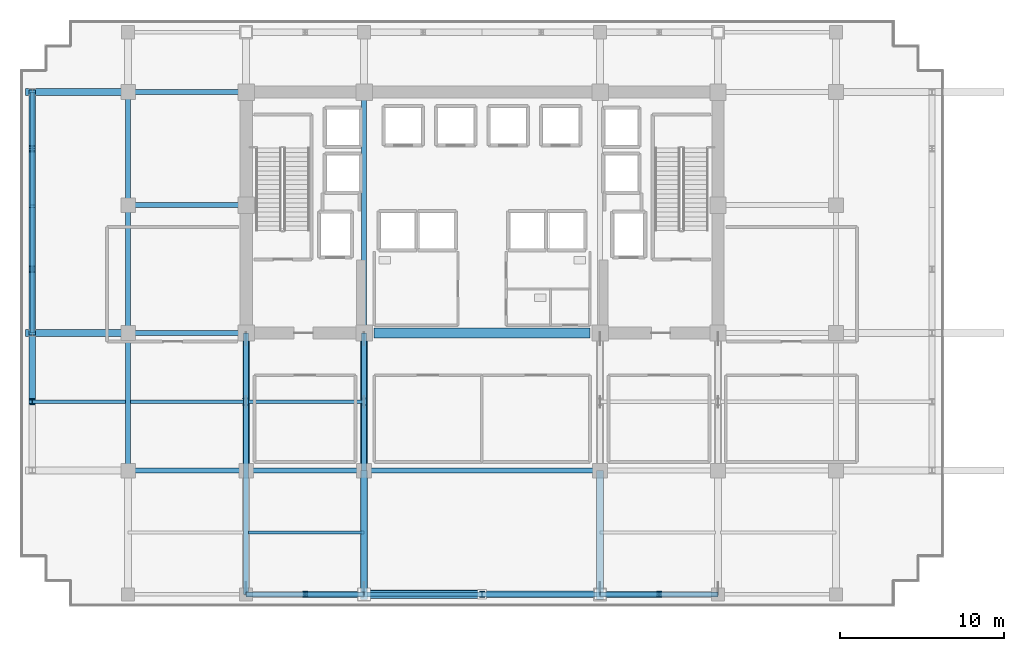
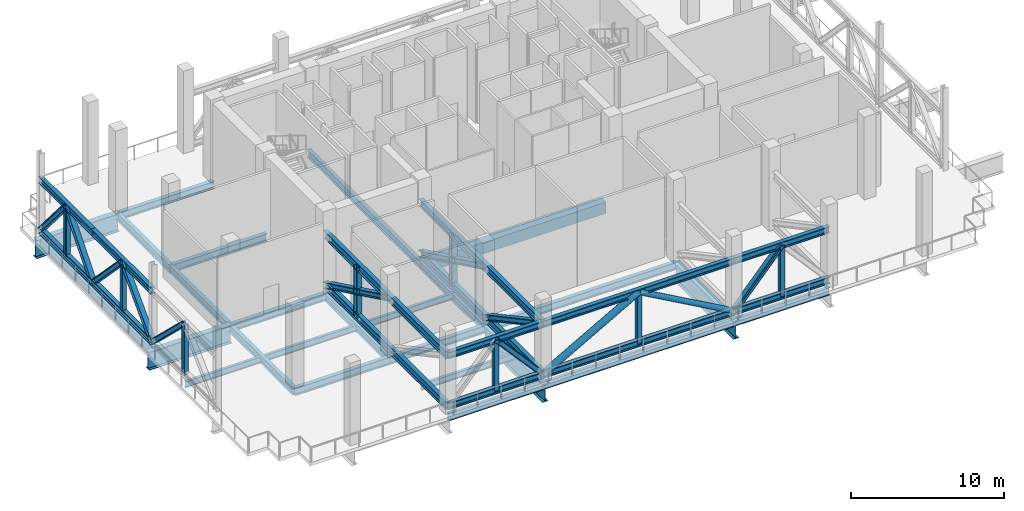
# One storey, part 3 of 15: 34 members, 25 beams.
"""IFC4 building model written with IfcOpenShell, lengths in metres."""

from ifc_helpers import new_model, si_unit, direction, frame, origin, origin_2d, place, context, subcontext, project, spatial, rectangle, hollow_circle, i_section, extrude, source, transform, mapped, material, material_profile, profile_set, type_object, element, save


model = new_model("IFC4")

# Units and contexts
model_context = context("Model", 3, precision=1e-05, world=origin(), true_north=direction((0.0, 1.0)))
body_context = subcontext(model_context, "Body", "Model", "MODEL_VIEW")
ifc_project = project(units=[si_unit("LENGTHUNIT", "METRE"), si_unit("AREAUNIT", "SQUARE_METRE"), si_unit("VOLUMEUNIT", "CUBIC_METRE"), si_unit("PLANEANGLEUNIT", "RADIAN"), si_unit("MASSUNIT", "GRAM", prefix="KILO")], contexts=[model_context])

# Site, building, storey
site_placement = place(None, origin())
site = spatial("IfcSite", under=ifc_project, at=site_placement, CompositionType="ELEMENT")
building_placement = place(site_placement, origin())
building = spatial("IfcBuilding", under=site, at=building_placement, Name="Zarnakvel Exchange Tower", CompositionType="ELEMENT")
storey_placement = place(building_placement, frame((0.0, 0.0, 80.199951171875)))
storey = spatial("IfcBuildingStorey", under=building, at=storey_placement, Name="L22", CompositionType="ELEMENT", Elevation=80.199951171875)

# Beams
ifc_material_1 = material(Name="Steel S355", Category="steel")
ifc_material_profile_1 = material_profile(ifc_material_1, i_section(OverallWidth=0.199951171875, OverallDepth=0.5, WebThickness=0.01025390625, FlangeThickness=0.01611328125, FilletRadius=0.02099609375, at=origin_2d()))
ifc_profile_set_1 = profile_set([ifc_material_profile_1], Name="Steel S355")
beam_type_1 = type_object("IfcBeamType", Name="B-04", PredefinedType="JOIST", material=ifc_profile_set_1)
beam_1_placement = place(storey_placement, frame((-14.2451171875, -13.375, -0.5), z_axis=(1.0, 0.0, 0.0), x_axis=(0.0, 1.0, 0.0)))
element("IfcBeam", 1, at=beam_1_placement, inside=storey, type_object=beam_type_1, Name="L22 Composite Floor Secondary Joist", PredefinedType="JOIST", context=body_context, shape_type="SweptSolid", body=[
    extrude(i_section(OverallWidth=0.199951171875, OverallDepth=0.5, WebThickness=0.01025390625, FlangeThickness=0.01611328125, FilletRadius=0.02099609375, at=origin_2d()), origin(), (0.0, 0.0, 1.0), 7.045166015625),
])
beam_2_placement = place(storey_placement, frame((-27.449951171875, -5.39990234375, -0.5), z_axis=(1.0, 0.0, 0.0), x_axis=(0.0, 1.0, 0.0)))
element("IfcBeam", 2, at=beam_2_placement, inside=storey, type_object=beam_type_1, Name="L22 Composite Floor Secondary Joist", PredefinedType="JOIST", context=body_context, shape_type="SweptSolid", body=[
    extrude(i_section(OverallWidth=0.199951171875, OverallDepth=0.5, WebThickness=0.01025390625, FlangeThickness=0.01611328125, FilletRadius=0.02099609375, at=origin_2d()), origin(), (0.0, 0.0, 1.0), 5.699951171875),
])
beam_3_placement = place(storey_placement, frame((-21.449951171875, -5.39990234375, -0.5), z_axis=(1.0, 0.0, 0.0), x_axis=(0.0, 1.0, 0.0)))
element("IfcBeam", 3, at=beam_3_placement, inside=storey, type_object=beam_type_1, Name="L22 Composite Floor Secondary Joist", PredefinedType="JOIST", context=body_context, shape_type="SweptSolid", body=[
    extrude(i_section(OverallWidth=0.199951171875, OverallDepth=0.5, WebThickness=0.01025390625, FlangeThickness=0.01611328125, FilletRadius=0.02099609375, at=origin_2d()), origin(), (0.0, 0.0, 1.0), 6.89990234375),
])
beam_4_placement = place(storey_placement, frame((-14.25, -5.39990234375, -0.5), z_axis=(1.0, 0.0, 0.0), x_axis=(0.0, 1.0, 0.0)))
element("IfcBeam", 4, at=beam_4_placement, inside=storey, type_object=beam_type_1, Name="L22 Composite Floor Secondary Joist", PredefinedType="JOIST", context=body_context, shape_type="SweptSolid", body=[
    extrude(i_section(OverallWidth=0.199951171875, OverallDepth=0.5, WebThickness=0.01025390625, FlangeThickness=0.01611328125, FilletRadius=0.02099609375, at=origin_2d()), origin(), (0.0, 0.0, 1.0), 7.050048828125),
])
ifc_material_2 = material(Name="Concrete C80/95", Category="concrete")
ifc_material_profile_2 = material_profile(ifc_material_2, rectangle(XDim=0.60009765625, YDim=0.89990234375, at=origin_2d()))
ifc_profile_set_2 = profile_set([ifc_material_profile_2], Name="Concrete C80/95")
beam_type_2 = type_object("IfcBeamType", Name="CB-01", PredefinedType="LINTEL", material=ifc_profile_set_2)
beam_5_placement = place(storey_placement, frame((-6.60009765625, -1.199951171875, -0.699951171875), z_axis=(1.0, 0.0, 0.0), x_axis=(0.0, 1.0, 0.0)))
element("IfcBeam", 5, at=beam_5_placement, inside=storey, type_object=beam_type_2, Name="L22 Rear Core South Coupling Beam (CB-01)", PredefinedType="LINTEL", context=body_context, shape_type="SweptSolid", body=[
    extrude(rectangle(XDim=0.60009765625, YDim=0.89990234375, at=origin_2d()), origin(), (0.0, 0.0, 1.0), 13.2001953125),
])
ifc_material_profile_3 = material_profile(ifc_material_1, i_section(OverallWidth=0.300048828125, OverallDepth=0.60009765625, WebThickness=0.015380859375, FlangeThickness=0.030029296875, FilletRadius=0.027099609375, at=origin_2d()))
ifc_profile_set_3 = profile_set([ifc_material_profile_3], Name="Steel S355")
beam_type_3 = type_object("IfcBeamType", Name="G-04", PredefinedType="BEAM", material=ifc_profile_set_3)
beam_6_placement = place(storey_placement, frame((-21.60009765625, -9.60009765625, -0.550048828125), z_axis=(1.0, 0.0, 0.0), x_axis=(0.0, 1.0, 0.0)))
element("IfcBeam", 6, at=beam_6_placement, inside=storey, type_object=beam_type_3, Name="L22 Tower E-W Frame Beam", PredefinedType="BEAM", context=body_context, shape_type="SweptSolid", body=[
    extrude(i_section(OverallWidth=0.300048828125, OverallDepth=0.60009765625, WebThickness=0.015380859375, FlangeThickness=0.030029296875, FilletRadius=0.027099609375, at=origin_2d()), origin(), (0.0, 0.0, 1.0), 7.2001953125),
])
beam_7_placement = place(storey_placement, frame((-14.39990234375, -9.60009765625, -0.550048828125), z_axis=(1.0, 0.0, 0.0), x_axis=(0.0, 1.0, 0.0)))
element("IfcBeam", 7, at=beam_7_placement, inside=storey, type_object=beam_type_3, Name="L22 Tower E-W Frame Beam", PredefinedType="BEAM", context=body_context, shape_type="SweptSolid", body=[
    extrude(i_section(OverallWidth=0.300048828125, OverallDepth=0.60009765625, WebThickness=0.015380859375, FlangeThickness=0.030029296875, FilletRadius=0.027099609375, at=origin_2d()), origin(), (0.0, 0.0, 1.0), 7.199951171875),
])
beam_8_placement = place(storey_placement, frame((-7.199951171875, -9.60009765625, -0.550048828125), z_axis=(1.0, 0.0, 0.0), x_axis=(0.0, 1.0, 0.0)))
element("IfcBeam", 8, at=beam_8_placement, inside=storey, type_object=beam_type_3, Name="L22 Tower E-W Frame Beam", PredefinedType="BEAM", context=body_context, shape_type="SweptSolid", body=[
    extrude(i_section(OverallWidth=0.300048828125, OverallDepth=0.60009765625, WebThickness=0.015380859375, FlangeThickness=0.030029296875, FilletRadius=0.027099609375, at=origin_2d()), origin(), (0.0, 0.0, 1.0), 14.39990234375),
])
for number, where, z_axis, x_axis, name in (
    (9, (-21.60009765625, -1.199951171875, -0.550048828125), (1.0, 0.0, 0.0), (0.0, 1.0, 0.0), "L22 Tower E-W Frame Beam"),
    (10, (-21.60009765625, 6.60009765625, -0.550048828125), (1.0, 0.0, 0.0), (0.0, 1.0, 0.0), "L22 Tower E-W Frame Beam"),
    (11, (-21.60009765625, 13.5, -0.550048828125), (1.0, 0.0, 0.0), (0.0, 1.0, 0.0), "L22 Tower E-W Frame Beam"),
):
    element("IfcBeam", number, at=place(storey_placement, frame(where, z_axis=z_axis, x_axis=x_axis)), inside=storey, type_object=beam_type_3, Name=name, PredefinedType="BEAM", context=body_context, shape_type="SweptSolid", body=[
        extrude(i_section(OverallWidth=0.300048828125, OverallDepth=0.60009765625, WebThickness=0.015380859375, FlangeThickness=0.030029296875, FilletRadius=0.027099609375, at=origin_2d()), origin(), (0.0, 0.0, 1.0), 7.2001953125),
    ])
beam_9_placement = place(storey_placement, frame((-21.60009765625, -9.60009765625, -0.550048828125), z_axis=(0.0, 1.0, 0.0), x_axis=(-1.0, 0.0, 0.0)))
element("IfcBeam", 12, at=beam_9_placement, inside=storey, type_object=beam_type_3, Name="L22 Tower N-S Frame Beam", PredefinedType="BEAM", context=body_context, shape_type="SweptSolid", body=[
    extrude(i_section(OverallWidth=0.300048828125, OverallDepth=0.60009765625, WebThickness=0.015380859375, FlangeThickness=0.030029296875, FilletRadius=0.027099609375, at=origin_2d()), origin(), (0.0, 0.0, 1.0), 8.400146484375),
])
beam_10_placement = place(storey_placement, frame((-21.60009765625, -1.199951171875, -0.550048828125), z_axis=(0.0, 1.0, 0.0), x_axis=(-1.0, 0.0, 0.0)))
element("IfcBeam", 13, at=beam_10_placement, inside=storey, type_object=beam_type_3, Name="L22 Tower N-S Frame Beam", PredefinedType="BEAM", context=body_context, shape_type="SweptSolid", body=[
    extrude(i_section(OverallWidth=0.300048828125, OverallDepth=0.60009765625, WebThickness=0.015380859375, FlangeThickness=0.030029296875, FilletRadius=0.027099609375, at=origin_2d()), origin(), (0.0, 0.0, 1.0), 7.800048828125),
])
beam_11_placement = place(storey_placement, frame((-21.60009765625, 6.60009765625, -0.550048828125), z_axis=(0.0, 1.0, 0.0), x_axis=(-1.0, 0.0, 0.0)))
element("IfcBeam", 14, at=beam_11_placement, inside=storey, type_object=beam_type_3, Name="L22 Tower N-S Frame Beam", PredefinedType="BEAM", context=body_context, shape_type="SweptSolid", body=[
    extrude(i_section(OverallWidth=0.300048828125, OverallDepth=0.60009765625, WebThickness=0.015380859375, FlangeThickness=0.030029296875, FilletRadius=0.027099609375, at=origin_2d()), origin(), (0.0, 0.0, 1.0), 6.89990234375),
])
for number, where, z_axis, x_axis, name in (
    (15, (-14.39990234375, -9.60009765625, -0.550048828125), (0.0, 1.0, 0.0), (-1.0, 0.0, 0.0), "L22 Tower N-S Frame Beam"),
    (16, (-7.199951171875, -9.60009765625, -0.550048828125), (0.0, 1.0, 0.0), (-1.0, 0.0, 0.0), "L22 Tower N-S Frame Beam"),
):
    element("IfcBeam", number, at=place(storey_placement, frame(where, z_axis=z_axis, x_axis=x_axis)), inside=storey, type_object=beam_type_3, Name=name, PredefinedType="BEAM", context=body_context, shape_type="SweptSolid", body=[
        extrude(i_section(OverallWidth=0.300048828125, OverallDepth=0.60009765625, WebThickness=0.015380859375, FlangeThickness=0.030029296875, FilletRadius=0.027099609375, at=origin_2d()), origin(), (0.0, 0.0, 1.0), 8.400146484375),
    ])
beam_12_placement = place(storey_placement, frame((-7.199951171875, -1.199951171875, -0.550048828125), z_axis=(0.0, 1.0, 0.0), x_axis=(-1.0, 0.0, 0.0)))
element("IfcBeam", 17, at=beam_12_placement, inside=storey, type_object=beam_type_3, Name="L22 Tower N-S Frame Beam", PredefinedType="BEAM", context=body_context, shape_type="SweptSolid", body=[
    extrude(i_section(OverallWidth=0.300048828125, OverallDepth=0.60009765625, WebThickness=0.015380859375, FlangeThickness=0.030029296875, FilletRadius=0.027099609375, at=origin_2d()), origin(), (0.0, 0.0, 1.0), 14.699951171875),
])
ifc_material_profile_4 = material_profile(ifc_material_1, i_section(OverallWidth=0.219970703125, OverallDepth=0.60009765625, WebThickness=0.011962890625, FlangeThickness=0.01904296875, FilletRadius=0.02392578125, at=origin_2d()))
ifc_profile_set_4 = profile_set([ifc_material_profile_4], Name="Steel S355")
beam_type_4 = type_object("IfcBeamType", Name="SP-01", PredefinedType="SPANDREL", material=ifc_profile_set_4)
beam_13_placement = place(storey_placement, frame((-14.39990234375, -17.14990234375, -0.550048828125), z_axis=(1.0, 0.0, 0.0), x_axis=(0.0, 1.0, 0.0)))
element("IfcBeam", 18, at=beam_13_placement, inside=storey, type_object=beam_type_4, Name="L22 Tower E-W Frame Beam", PredefinedType="SPANDREL", context=body_context, shape_type="SweptSolid", body=[
    extrude(i_section(OverallWidth=0.219970703125, OverallDepth=0.60009765625, WebThickness=0.011962890625, FlangeThickness=0.01904296875, FilletRadius=0.02392578125, at=origin_2d()), origin(), (0.0, 0.0, 1.0), 7.199951171875),
])
beam_14_placement = place(storey_placement, frame((-7.199951171875, -17.14990234375, -0.550048828125), z_axis=(1.0, 0.0, 0.0), x_axis=(0.0, 1.0, 0.0)))
element("IfcBeam", 19, at=beam_14_placement, inside=storey, type_object=beam_type_4, Name="L22 Tower E-W Frame Beam", PredefinedType="SPANDREL", context=body_context, shape_type="SweptSolid", body=[
    extrude(i_section(OverallWidth=0.219970703125, OverallDepth=0.60009765625, WebThickness=0.011962890625, FlangeThickness=0.01904296875, FilletRadius=0.02392578125, at=origin_2d()), origin(), (0.0, 0.0, 1.0), 14.39990234375),
])
beam_15_placement = place(storey_placement, frame((7.199951171875, -17.14990234375, -0.550048828125), z_axis=(1.0, 0.0, 0.0), x_axis=(0.0, 1.0, 0.0)))
element("IfcBeam", 20, at=beam_15_placement, inside=storey, type_object=beam_type_4, Name="L22 Tower E-W Frame Beam", PredefinedType="SPANDREL", context=body_context, shape_type="SweptSolid", body=[
    extrude(i_section(OverallWidth=0.219970703125, OverallDepth=0.60009765625, WebThickness=0.011962890625, FlangeThickness=0.01904296875, FilletRadius=0.02392578125, at=origin_2d()), origin(), (0.0, 0.0, 1.0), 7.199951171875),
])
beam_16_placement = place(storey_placement, frame((-27.449951171875, -1.199951171875, -0.550048828125), z_axis=(0.0, 1.0, 0.0), x_axis=(-1.0, 0.0, 0.0)))
element("IfcBeam", 21, at=beam_16_placement, inside=storey, type_object=beam_type_4, Name="L22 Tower N-S Frame Beam", PredefinedType="SPANDREL", context=body_context, shape_type="SweptSolid", body=[
    extrude(i_section(OverallWidth=0.219970703125, OverallDepth=0.60009765625, WebThickness=0.011962890625, FlangeThickness=0.01904296875, FilletRadius=0.02392578125, at=origin_2d()), origin(), (0.0, 0.0, 1.0), 14.699951171875),
])
ifc_material_3 = material(Name="Steel S460", Category="steel")
ifc_material_profile_5 = material_profile(ifc_material_3, i_section(OverallWidth=0.419921875, OverallDepth=1.449951171875, WebThickness=0.02392578125, FlangeThickness=0.0400390625, FilletRadius=0.030029296875, at=origin_2d()))
ifc_profile_set_5 = profile_set([ifc_material_profile_5], Name="Steel S460")
beam_type_5 = type_object("IfcBeamType", Name="TG-01", PredefinedType="BEAM", material=ifc_profile_set_5)
for number, where, z_axis, x_axis, name in (
    (22, (-7.199951171875, -17.449951171875, -0.974853515625), (0.0, 1.0, 0.0), (-1.0, 0.0, 0.0), "L22 Setback N-S Transfer Girder TS-5"),
    (23, (7.199951171875, -17.449951171875, -0.974853515625), (0.0, 1.0, 0.0), (-1.0, 0.0, 0.0), "L22 Setback N-S Transfer Girder TS-8"),
):
    element("IfcBeam", number, at=place(storey_placement, frame(where, z_axis=z_axis, x_axis=x_axis)), inside=storey, type_object=beam_type_5, Name=name, PredefinedType="BEAM", context=body_context, shape_type="SweptSolid", body=[
        extrude(i_section(OverallWidth=0.419921875, OverallDepth=1.449951171875, WebThickness=0.02392578125, FlangeThickness=0.0400390625, FilletRadius=0.030029296875, at=origin_2d()), origin(), (0.0, 0.0, 1.0), 7.849853515625),
    ])
for number, where, z_axis, x_axis, name in (
    (24, (-27.85009765625, -1.199951171875, -0.974853515625), (1.0, 0.0, 0.0), (0.0, 1.0, 0.0), "L22 Setback E-W Transfer Girder TW-D"),
    (25, (-27.85009765625, 13.5, -0.974853515625), (1.0, 0.0, 0.0), (0.0, 1.0, 0.0), "L22 Setback E-W Transfer Girder TW-F"),
):
    element("IfcBeam", number, at=place(storey_placement, frame(where, z_axis=z_axis, x_axis=x_axis)), inside=storey, type_object=beam_type_5, Name=name, PredefinedType="BEAM", context=body_context, shape_type="SweptSolid", body=[
        extrude(i_section(OverallWidth=0.419921875, OverallDepth=1.449951171875, WebThickness=0.02392578125, FlangeThickness=0.0400390625, FilletRadius=0.030029296875, at=origin_2d()), origin(), (0.0, 0.0, 1.0), 6.25),
    ])

# Members
ifc_material_profile_6 = material_profile(ifc_material_3, i_section(OverallWidth=0.304931640625, OverallDepth=0.6201171875, WebThickness=0.02099609375, FlangeThickness=0.0400390625, FilletRadius=0.027099609375, at=origin_2d()))
ifc_profile_set_6 = profile_set([ifc_material_profile_6], Name="Steel S460")
member_type_1 = type_object("IfcMemberType", Name="OT-02", PredefinedType="CHORD", material=ifc_profile_set_6)
shared_shape_1 = source(origin(), body_context, "Body", "SweptSolid", [
    extrude(i_section(OverallWidth=0.304931640625, OverallDepth=0.6201171875, WebThickness=0.02099609375, FlangeThickness=0.0400390625, FilletRadius=0.027099609375, at=origin_2d()), origin(), (0.0, 0.0, 1.0), 15.949951171875),
])
for number, where, z_axis, x_axis, name in (
    (26, (-14.39990234375, -17.14990234375, 0.35009765625), (0.0, 1.0, 0.0), (-1.0, 0.0, 0.0), "L22 Outrigger Bottom Chord Grid 4"),
    (27, (-14.39990234375, -17.14990234375, 4.400146484375), (0.0, 1.0, 0.0), (-1.0, 0.0, 0.0), "L22 Outrigger Top Chord Grid 4"),
    (28, (-7.199951171875, -17.14990234375, 0.35009765625), (0.0, 1.0, 0.0), (-1.0, 0.0, 0.0), "L22 Outrigger Bottom Chord Grid 5"),
    (29, (-7.199951171875, -17.14990234375, 4.400146484375), (0.0, 1.0, 0.0), (-1.0, 0.0, 0.0), "L22 Outrigger Top Chord Grid 5"),
):
    element("IfcMember", number, at=place(storey_placement, frame(where, z_axis=z_axis, x_axis=x_axis)), inside=storey, type_object=member_type_1, Name=name, PredefinedType="CHORD", context=body_context, shape_type="MappedRepresentation", body=[
        mapped(shared_shape_1, transform((0.0, 0.0, 0.0), x_axis=(1.0, 0.0, 0.0), y_axis=(0.0, 1.0, 0.0), z_axis=(0.0, 0.0, 1.0), scale=1.0)),
    ])
ifc_material_profile_7 = material_profile(ifc_material_3, i_section(OverallWidth=0.404052734375, OverallDepth=0.406982421875, WebThickness=0.0224609375, FlangeThickness=0.031982421875, FilletRadius=0.014892578125, at=origin_2d()))
ifc_profile_set_7 = profile_set([ifc_material_profile_7], Name="Steel S460")
member_type_2 = type_object("IfcMemberType", Name="OT-03", PredefinedType="STRUT", material=ifc_profile_set_7)
shared_shape_2 = source(origin(), body_context, "Body", "SweptSolid", [
    extrude(i_section(OverallWidth=0.404052734375, OverallDepth=0.406982421875, WebThickness=0.0224609375, FlangeThickness=0.031982421875, FilletRadius=0.014892578125, at=origin_2d()), origin(), (0.0, 0.0, 1.0), 4.050048828125),
])
for number, where, z_axis, x_axis, name in (
    (30, (-14.39990234375, -5.39990234375, 0.35009765625), (0.0, 0.0, 1.0), (1.0, 0.0, 0.0), "L22 Outrigger Web Post Grid 4"),
    (31, (-7.199951171875, -5.39990234375, 0.35009765625), (0.0, 0.0, 1.0), (1.0, 0.0, 0.0), "L22 Outrigger Web Post Grid 5"),
):
    element("IfcMember", number, at=place(storey_placement, frame(where, z_axis=z_axis, x_axis=x_axis)), inside=storey, type_object=member_type_2, Name=name, PredefinedType="STRUT", context=body_context, shape_type="MappedRepresentation", body=[
        mapped(shared_shape_2, transform((0.0, 0.0, 0.0), x_axis=(1.0, 0.0, 0.0), y_axis=(0.0, 1.0, 0.0), z_axis=(0.0, 0.0, 1.0), scale=1.0)),
    ])
ifc_material_profile_8 = material_profile(ifc_material_3, i_section(OverallWidth=0.412109375, OverallDepth=0.425048828125, WebThickness=0.02587890625, FlangeThickness=0.0390625, FilletRadius=0.014892578125, at=origin_2d()))
ifc_profile_set_8 = profile_set([ifc_material_profile_8], Name="Steel S460")
member_type_3 = type_object("IfcMemberType", Name="OT-01", PredefinedType="BRACE", material=ifc_profile_set_8)
shared_shape_3 = source(origin(), body_context, "Body", "SweptSolid", [
    extrude(i_section(OverallWidth=0.412109375, OverallDepth=0.425048828125, WebThickness=0.02587890625, FlangeThickness=0.0390625, FilletRadius=0.014892578125, at=origin_2d()), origin(), (0.0, 0.0, 1.0), 9.325439453125),
])
for number, where, z_axis, x_axis, name in (
    (32, (-14.39990234375, -1.199951171875, 0.35009765625), (0.0, -0.900769595798, 0.43429728906), (1.0, 0.0, 0.0), "L22 Outrigger Inner Diagonal 1 Grid 4"),
    (33, (-7.199951171875, -1.199951171875, 0.35009765625), (0.0, -0.900769595798, 0.43429728906), (1.0, 0.0, 0.0), "L22 Outrigger Inner Diagonal 1 Grid 5"),
):
    element("IfcMember", number, at=place(storey_placement, frame(where, z_axis=z_axis, x_axis=x_axis)), inside=storey, type_object=member_type_3, Name=name, PredefinedType="BRACE", context=body_context, shape_type="MappedRepresentation", body=[
        mapped(shared_shape_3, transform((0.0, 0.0, 0.0), x_axis=(1.0, 0.0, 0.0), y_axis=(0.0, 1.0, 0.0), z_axis=(0.0, 0.0, 1.0), scale=1.0)),
    ])
shared_shape_4 = source(origin(), body_context, "Body", "SweptSolid", [
    extrude(i_section(OverallWidth=0.412109375, OverallDepth=0.425048828125, WebThickness=0.02587890625, FlangeThickness=0.0390625, FilletRadius=0.014892578125, at=origin_2d()), origin(), (0.0, 0.0, 1.0), 8.567626953125),
])
member_1_placement = place(storey_placement, frame((-7.199951171875, -9.60009765625, 0.35009765625), z_axis=(0.0, -0.881212095321, 0.472721104944), x_axis=(1.0, 0.0, 0.0)))
element("IfcMember", 34, at=member_1_placement, inside=storey, type_object=member_type_3, Name="L22 Outrigger Outer Diagonal 2 Grid 5", PredefinedType="BRACE", context=body_context, shape_type="MappedRepresentation", body=[
    mapped(shared_shape_4, transform((0.0, 0.0, 0.0), x_axis=(1.0, 0.0, 0.0), y_axis=(0.0, 1.0, 0.0), z_axis=(0.0, 0.0, 1.0), scale=1.0)),
])
ifc_material_profile_9 = material_profile(ifc_material_1, i_section(OverallWidth=0.305908203125, OverallDepth=0.52392578125, WebThickness=0.02099609375, FlangeThickness=0.0400390625, FilletRadius=0.027099609375, at=origin_2d()))
ifc_profile_set_9 = profile_set([ifc_material_profile_9], Name="Steel S355")
member_type_4 = type_object("IfcMemberType", Name="BT-02", PredefinedType="CHORD", material=ifc_profile_set_9)
shared_shape_5 = source(origin(), body_context, "Body", "SweptSolid", [
    extrude(i_section(OverallWidth=0.305908203125, OverallDepth=0.52392578125, WebThickness=0.02099609375, FlangeThickness=0.0400390625, FilletRadius=0.027099609375, at=origin_2d()), origin(), (0.0, 0.0, 1.0), 7.199951171875),
])
for number, where, z_axis, x_axis, name in (
    (35, (-14.39990234375, -17.14990234375, 0.35009765625), (1.0, 0.0, 0.0), (0.0, 1.0, 0.0), "L22 Belt Truss Bottom Chord S-W1"),
    (36, (-14.39990234375, -17.14990234375, 4.400146484375), (1.0, 0.0, 0.0), (0.0, 1.0, 0.0), "L22 Belt Truss Top Chord S-W1"),
    (37, (7.199951171875, -17.14990234375, 0.35009765625), (1.0, 0.0, 0.0), (0.0, 1.0, 0.0), "L22 Belt Truss Bottom Chord S-E1"),
    (38, (7.199951171875, -17.14990234375, 4.400146484375), (1.0, 0.0, 0.0), (0.0, 1.0, 0.0), "L22 Belt Truss Top Chord S-E1"),
):
    element("IfcMember", number, at=place(storey_placement, frame(where, z_axis=z_axis, x_axis=x_axis)), inside=storey, type_object=member_type_4, Name=name, PredefinedType="CHORD", context=body_context, shape_type="MappedRepresentation", body=[
        mapped(shared_shape_5, transform((0.0, 0.0, 0.0), x_axis=(1.0, 0.0, 0.0), y_axis=(0.0, 1.0, 0.0), z_axis=(0.0, 0.0, 1.0), scale=1.0)),
    ])
ifc_material_profile_10 = material_profile(ifc_material_1, i_section(OverallWidth=0.30908203125, OverallDepth=0.35888671875, WebThickness=0.02099609375, FlangeThickness=0.033935546875, FilletRadius=0.014892578125, at=origin_2d()))
ifc_profile_set_10 = profile_set([ifc_material_profile_10], Name="Steel S355")
member_type_5 = type_object("IfcMemberType", Name="BT-03", PredefinedType="STRUT", material=ifc_profile_set_10)
shared_shape_6 = source(origin(), body_context, "Body", "SweptSolid", [
    extrude(i_section(OverallWidth=0.30908203125, OverallDepth=0.35888671875, WebThickness=0.02099609375, FlangeThickness=0.033935546875, FilletRadius=0.014892578125, at=origin_2d()), origin(), (0.0, 0.0, 1.0), 4.050048828125),
])
for number, where, z_axis, x_axis, name in (
    (39, (-10.800048828125, -17.14990234375, 0.35009765625), (0.0, 0.0, 1.0), (1.0, 0.0, 0.0), "L22 Belt Truss Vertical Post S-W1"),
    (40, (10.800048828125, -17.14990234375, 0.35009765625), (0.0, 0.0, 1.0), (1.0, 0.0, 0.0), "L22 Belt Truss Vertical Post S-E1"),
    (41, (-27.449951171875, -5.39990234375, 0.35009765625), (0.0, 0.0, 1.0), (1.0, 0.0, 0.0), "L22 Belt Truss Vertical Post W-1"),
    (42, (-27.449951171875, 2.699951171875, 0.35009765625), (0.0, 0.0, 1.0), (1.0, 0.0, 0.0), "L22 Belt Truss Vertical Post W-2"),
    (43, (-27.449951171875, 10.050048828125, 0.35009765625), (0.0, 0.0, 1.0), (1.0, 0.0, 0.0), "L22 Belt Truss Vertical Post W-3"),
    (44, (0.0, -17.14990234375, 0.35009765625), (0.0, 0.0, 1.0), (1.0, 0.0, 0.0), "L22 Portal Bridge Center Post"),
):
    element("IfcMember", number, at=place(storey_placement, frame(where, z_axis=z_axis, x_axis=x_axis)), inside=storey, type_object=member_type_5, Name=name, PredefinedType="STRUT", context=body_context, shape_type="MappedRepresentation", body=[
        mapped(shared_shape_6, transform((0.0, 0.0, 0.0), x_axis=(1.0, 0.0, 0.0), y_axis=(0.0, 1.0, 0.0), z_axis=(0.0, 0.0, 1.0), scale=1.0)),
    ])
ifc_material_profile_11 = material_profile(ifc_material_1, i_section(OverallWidth=0.3740234375, OverallDepth=0.364013671875, WebThickness=0.01806640625, FlangeThickness=0.027587890625, FilletRadius=0.014892578125, at=origin_2d()))
ifc_profile_set_11 = profile_set([ifc_material_profile_11], Name="Steel S355")
member_type_6 = type_object("IfcMemberType", Name="BT-01", PredefinedType="BRACE", material=ifc_profile_set_11)
shared_shape_7 = source(origin(), body_context, "Body", "SweptSolid", [
    extrude(i_section(OverallWidth=0.3740234375, OverallDepth=0.364013671875, WebThickness=0.01806640625, FlangeThickness=0.027587890625, FilletRadius=0.014892578125, at=origin_2d()), origin(), (0.0, 0.0, 1.0), 5.418701171875),
])
for number, where, z_axis, x_axis, name in (
    (45, (-7.199951171875, -17.14990234375, 0.35009765625), (-0.664369431748, 0.0, 0.747404347163), (0.0, -1.0, 0.0), "L22 Belt Truss Chevron Right S-W1"),
    (46, (7.199951171875, -17.14990234375, 0.35009765625), (0.664369431748, 0.0, 0.747404347163), (0.0, 1.0, 0.0), "L22 Belt Truss Chevron Left S-E1"),
):
    element("IfcMember", number, at=place(storey_placement, frame(where, z_axis=z_axis, x_axis=x_axis)), inside=storey, type_object=member_type_6, Name=name, PredefinedType="BRACE", context=body_context, shape_type="MappedRepresentation", body=[
        mapped(shared_shape_7, transform((0.0, 0.0, 0.0), x_axis=(1.0, 0.0, 0.0), y_axis=(0.0, 1.0, 0.0), z_axis=(0.0, 0.0, 1.0), scale=1.0)),
    ])
shared_shape_8 = source(origin(), body_context, "Body", "SweptSolid", [
    extrude(i_section(OverallWidth=0.3740234375, OverallDepth=0.364013671875, WebThickness=0.01806640625, FlangeThickness=0.027587890625, FilletRadius=0.014892578125, at=origin_2d()), origin(), (0.0, 0.0, 1.0), 5.83447265625),
])
member_2_placement = place(storey_placement, frame((-27.449951171875, -1.199951171875, 0.35009765625), z_axis=(0.0, -0.719836081517, 0.694144088606), x_axis=(1.0, 0.0, 0.0)))
element("IfcMember", 47, at=member_2_placement, inside=storey, type_object=member_type_6, Name="L22 Belt Truss Chevron Right W-1", PredefinedType="BRACE", context=body_context, shape_type="MappedRepresentation", body=[
    mapped(shared_shape_8, transform((0.0, 0.0, 0.0), x_axis=(1.0, 0.0, 0.0), y_axis=(0.0, 1.0, 0.0), z_axis=(0.0, 0.0, 1.0), scale=1.0)),
])
shared_shape_9 = source(origin(), body_context, "Body", "SweptSolid", [
    extrude(i_section(OverallWidth=0.305908203125, OverallDepth=0.52392578125, WebThickness=0.02099609375, FlangeThickness=0.0400390625, FilletRadius=0.027099609375, at=origin_2d()), origin(), (0.0, 0.0, 1.0), 7.800048828125),
])
for number, where, z_axis, x_axis, name in (
    (48, (-27.449951171875, -1.199951171875, 0.35009765625), (0.0, 1.0, 0.0), (-1.0, 0.0, 0.0), "L22 Belt Truss Bottom Chord W-2"),
    (49, (-27.449951171875, -1.199951171875, 4.400146484375), (0.0, 1.0, 0.0), (-1.0, 0.0, 0.0), "L22 Belt Truss Top Chord W-2"),
):
    element("IfcMember", number, at=place(storey_placement, frame(where, z_axis=z_axis, x_axis=x_axis)), inside=storey, type_object=member_type_4, Name=name, PredefinedType="CHORD", context=body_context, shape_type="MappedRepresentation", body=[
        mapped(shared_shape_9, transform((0.0, 0.0, 0.0), x_axis=(1.0, 0.0, 0.0), y_axis=(0.0, 1.0, 0.0), z_axis=(0.0, 0.0, 1.0), scale=1.0)),
    ])
shared_shape_10 = source(origin(), body_context, "Body", "SweptSolid", [
    extrude(i_section(OverallWidth=0.3740234375, OverallDepth=0.364013671875, WebThickness=0.01806640625, FlangeThickness=0.027587890625, FilletRadius=0.014892578125, at=origin_2d()), origin(), (0.0, 0.0, 1.0), 5.62255859375),
])
for number, where, z_axis, x_axis, name in (
    (50, (-27.449951171875, -1.199951171875, 0.35009765625), (0.0, 0.693628335739, 0.720333070087), (-1.0, 0.0, 0.0), "L22 Belt Truss Chevron Left W-2"),
    (51, (-27.449951171875, 6.60009765625, 0.35009765625), (0.0, -0.693650865689, 0.720311374705), (1.0, 0.0, 0.0), "L22 Belt Truss Chevron Right W-2"),
):
    element("IfcMember", number, at=place(storey_placement, frame(where, z_axis=z_axis, x_axis=x_axis)), inside=storey, type_object=member_type_6, Name=name, PredefinedType="BRACE", context=body_context, shape_type="MappedRepresentation", body=[
        mapped(shared_shape_10, transform((0.0, 0.0, 0.0), x_axis=(1.0, 0.0, 0.0), y_axis=(0.0, 1.0, 0.0), z_axis=(0.0, 0.0, 1.0), scale=1.0)),
    ])
shared_shape_11 = source(origin(), body_context, "Body", "SweptSolid", [
    extrude(i_section(OverallWidth=0.305908203125, OverallDepth=0.52392578125, WebThickness=0.02099609375, FlangeThickness=0.0400390625, FilletRadius=0.027099609375, at=origin_2d()), origin(), (0.0, 0.0, 1.0), 6.89990234375),
])
for number, where, z_axis, x_axis, name in (
    (52, (-27.449951171875, 6.60009765625, 0.35009765625), (0.0, 1.0, 0.0), (-1.0, 0.0, 0.0), "L22 Belt Truss Bottom Chord W-3"),
    (53, (-27.449951171875, 6.60009765625, 4.400146484375), (0.0, 1.0, 0.0), (-1.0, 0.0, 0.0), "L22 Belt Truss Top Chord W-3"),
):
    element("IfcMember", number, at=place(storey_placement, frame(where, z_axis=z_axis, x_axis=x_axis)), inside=storey, type_object=member_type_4, Name=name, PredefinedType="CHORD", context=body_context, shape_type="MappedRepresentation", body=[
        mapped(shared_shape_11, transform((0.0, 0.0, 0.0), x_axis=(1.0, 0.0, 0.0), y_axis=(0.0, 1.0, 0.0), z_axis=(0.0, 0.0, 1.0), scale=1.0)),
    ])
shared_shape_12 = source(origin(), body_context, "Body", "SweptSolid", [
    extrude(i_section(OverallWidth=0.3740234375, OverallDepth=0.364013671875, WebThickness=0.01806640625, FlangeThickness=0.027587890625, FilletRadius=0.014892578125, at=origin_2d()), origin(), (0.0, 0.0, 1.0), 5.3203125),
])
for number, where, z_axis, x_axis, name in (
    (54, (-27.449951171875, 6.60009765625, 0.35009765625), (0.0, 0.648456606568, 0.761251620293), (-1.0, 0.0, 0.0), "L22 Belt Truss Chevron Left W-3"),
    (55, (-27.449951171875, 13.5, 0.35009765625), (0.0, -0.648456606568, 0.761251620293), (1.0, 0.0, 0.0), "L22 Belt Truss Chevron Right W-3"),
):
    element("IfcMember", number, at=place(storey_placement, frame(where, z_axis=z_axis, x_axis=x_axis)), inside=storey, type_object=member_type_6, Name=name, PredefinedType="BRACE", context=body_context, shape_type="MappedRepresentation", body=[
        mapped(shared_shape_12, transform((0.0, 0.0, 0.0), x_axis=(1.0, 0.0, 0.0), y_axis=(0.0, 1.0, 0.0), z_axis=(0.0, 0.0, 1.0), scale=1.0)),
    ])
shared_shape_13 = source(origin(), body_context, "Body", "SweptSolid", [
    extrude(i_section(OverallWidth=0.305908203125, OverallDepth=0.52392578125, WebThickness=0.02099609375, FlangeThickness=0.0400390625, FilletRadius=0.027099609375, at=origin_2d()), origin(), (0.0, 0.0, 1.0), 14.39990234375),
])
for number, where, z_axis, x_axis, name in (
    (56, (-7.199951171875, -17.14990234375, 0.35009765625), (1.0, 0.0, 0.0), (0.0, 1.0, 0.0), "L22 Portal Bridge Bottom Chord"),
    (57, (-7.199951171875, -17.14990234375, 4.400146484375), (1.0, 0.0, 0.0), (0.0, 1.0, 0.0), "L22 Portal Bridge Top Chord"),
):
    element("IfcMember", number, at=place(storey_placement, frame(where, z_axis=z_axis, x_axis=x_axis)), inside=storey, type_object=member_type_4, Name=name, PredefinedType="CHORD", context=body_context, shape_type="MappedRepresentation", body=[
        mapped(shared_shape_13, transform((0.0, 0.0, 0.0), x_axis=(1.0, 0.0, 0.0), y_axis=(0.0, 1.0, 0.0), z_axis=(0.0, 0.0, 1.0), scale=1.0)),
    ])
ifc_material_profile_12 = material_profile(ifc_material_1, hollow_circle(Radius=0.25390625, WallThickness=0.02490234375, at=origin_2d()))
ifc_profile_set_12 = profile_set([ifc_material_profile_12], Name="Steel S355")
member_type_7 = type_object("IfcMemberType", Name="VT-01", PredefinedType="BRACE", material=ifc_profile_set_12)
shared_shape_14 = source(origin(), body_context, "Body", "SweptSolid", [
    extrude(hollow_circle(Radius=0.25390625, WallThickness=0.02490234375, at=origin_2d()), origin(), (0.0, 0.0, 1.0), 8.260986328125),
])
member_3_placement = place(storey_placement, frame((-7.199951171875, -17.14990234375, 0.35009765625), z_axis=(0.871571590741, 0.0, 0.490268255359), x_axis=(0.0, 1.0, 0.0)))
element("IfcMember", 58, at=member_3_placement, inside=storey, type_object=member_type_7, Name="L22 Portal Bridge Diagonal VT-01", PredefinedType="BRACE", context=body_context, shape_type="MappedRepresentation", body=[
    mapped(shared_shape_14, transform((0.0, 0.0, 0.0), x_axis=(1.0, 0.0, 0.0), y_axis=(0.0, 1.0, 0.0), z_axis=(0.0, 0.0, 1.0), scale=1.0)),
])
ifc_material_profile_13 = material_profile(ifc_material_1, hollow_circle(Radius=0.203125, WallThickness=0.02001953125, at=origin_2d()))
ifc_profile_set_13 = profile_set([ifc_material_profile_13], Name="Steel S355")
member_type_8 = type_object("IfcMemberType", Name="VT-02", PredefinedType="BRACE", material=ifc_profile_set_13)
shared_shape_15 = source(origin(), body_context, "Body", "SweptSolid", [
    extrude(hollow_circle(Radius=0.203125, WallThickness=0.02001953125, at=origin_2d()), origin(), (0.0, 0.0, 1.0), 8.260986328125),
])
member_4_placement = place(storey_placement, frame((7.199951171875, -17.14990234375, 0.35009765625), z_axis=(-0.871571590741, 0.0, 0.490268255359), x_axis=(0.0, -1.0, 0.0)))
element("IfcMember", 59, at=member_4_placement, inside=storey, type_object=member_type_8, Name="L22 Portal Bridge Diagonal VT-02", PredefinedType="BRACE", context=body_context, shape_type="MappedRepresentation", body=[
    mapped(shared_shape_15, transform((0.0, 0.0, 0.0), x_axis=(1.0, 0.0, 0.0), y_axis=(0.0, 1.0, 0.0), z_axis=(0.0, 0.0, 1.0), scale=1.0)),
])

save(model, "model.ifc")
